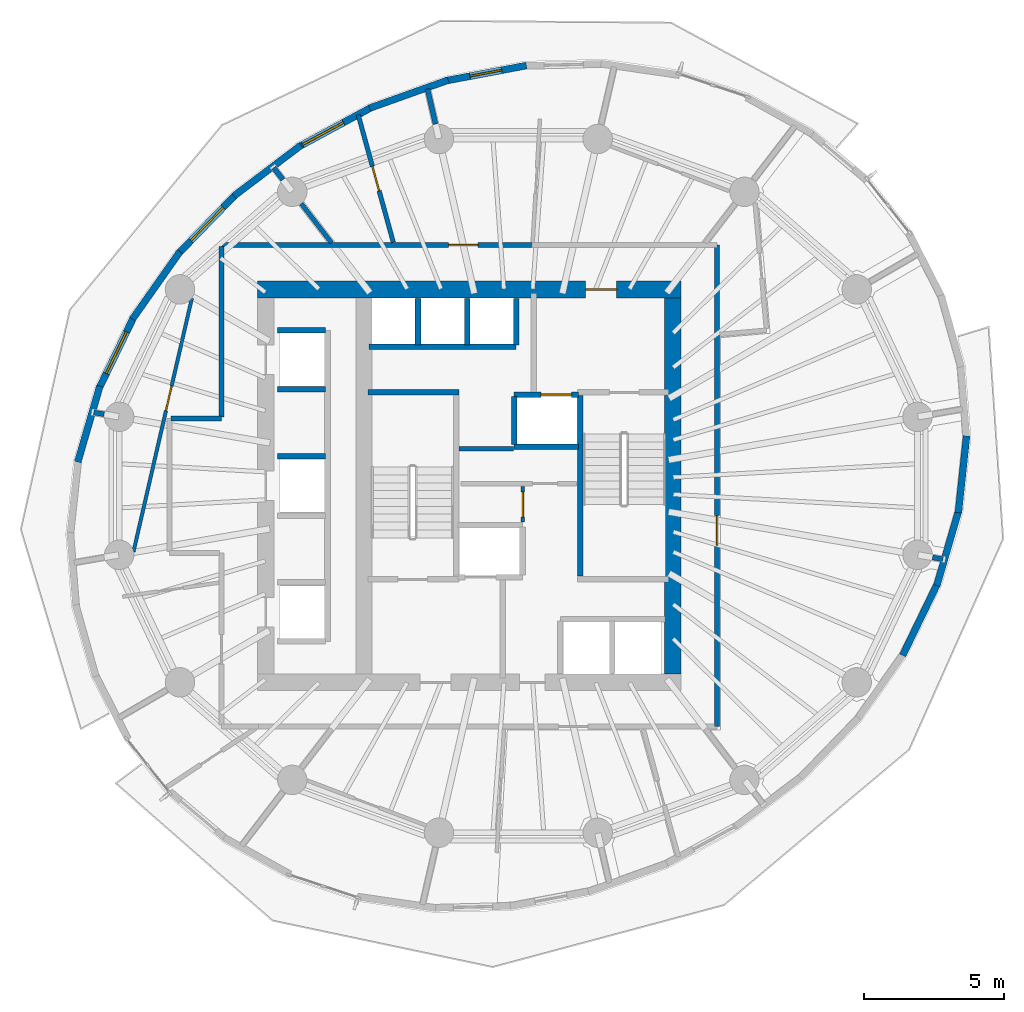
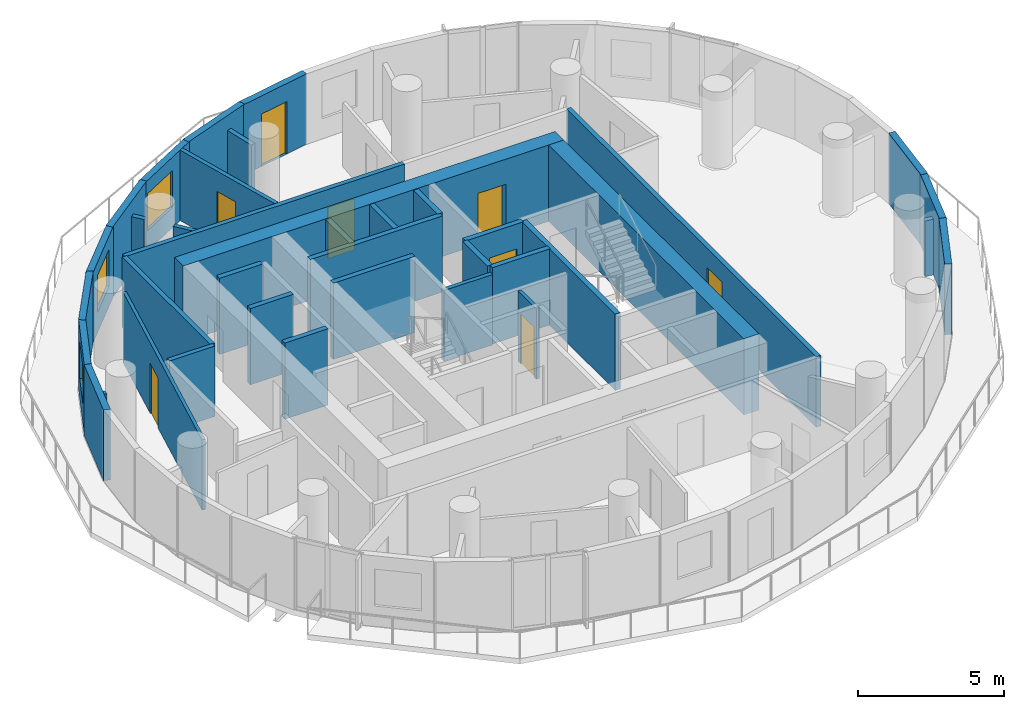
# One storey, part 6 of 12: 38 walls, 8 doors, 3 windows, 11 openings.
"""IFC4 building model written with IfcOpenShell, lengths in metres."""

from ifc_helpers import new_model, si_unit, direction, frame, frame_2d, origin, place, context, subcontext, project, spatial, rectangle, extrude, material, layer, layer_set, type_object, element, fill, save


model = new_model("IFC4")

# Units and contexts
model_context = context("Model", 3, precision=1e-05, world=origin(), true_north=direction((0.0, 1.0)))
body_context = subcontext(model_context, "Body", "Model", "MODEL_VIEW")
ifc_project = project(units=[si_unit("LENGTHUNIT", "METRE"), si_unit("AREAUNIT", "SQUARE_METRE"), si_unit("VOLUMEUNIT", "CUBIC_METRE"), si_unit("PLANEANGLEUNIT", "RADIAN"), si_unit("MASSUNIT", "GRAM", prefix="KILO")], contexts=[model_context])

# Site, building, storey
site_placement = place(None, origin())
site = spatial("IfcSite", under=ifc_project, at=site_placement, CompositionType="ELEMENT")
building_placement = place(site_placement, origin())
building = spatial("IfcBuilding", under=site, at=building_placement, Name="Veldorim Arch Residences", CompositionType="ELEMENT")
storey_placement = place(building_placement, frame((0.0, 0.0, 136.159912109375)))
storey = spatial("IfcBuildingStorey", under=building, at=storey_placement, Name="L40", CompositionType="ELEMENT", Elevation=136.159912109375)

# Wall, opening, door
ifc_material_1 = material(Name="Acoustic Gypsum Board", Category="gypsum")
ifc_layer_1 = layer(ifc_material_1, 0.125, Name="Acoustic Stud Room Partition Wall 125")
ifc_layer_set_1 = layer_set([ifc_layer_1], Name="Acoustic Gypsum Board")
wall_type_1 = type_object("IfcWallType", Name="Acoustic Stud Room Partition Wall 125", PredefinedType="PARTITIONING", material=ifc_layer_set_1)
wall_1_placement = place(storey_placement, frame((32.159912109375, 22.719970703125, 0.0), z_axis=(0.0, 0.0, 1.0), x_axis=(0.0, 1.0, 0.0)))
wall_1 = element("IfcWall", 1, at=wall_1_placement, inside=storey, type_object=wall_type_1, Name="L40 interior wall WL-CA-L40-2", PredefinedType="PARTITIONING", context=body_context, shape_type="SweptSolid", body=[
    extrude(rectangle(XDim=1.25, YDim=0.125, at=frame_2d((0.625, 0.0))), origin(), (0.0, 0.0, 1.0), 2.955078125),
])
opening_1_placement = place(wall_1_placement, frame((0.169921875, 0.0, 0.0)))
opening_1 = element("IfcOpeningElement", 2, at=opening_1_placement, cuts=wall_1, Name="Opening DR-SVC", PredefinedType="OPENING", context=body_context, shape_type="SweptSolid", body=[
    extrude(rectangle(XDim=0.89990234375, YDim=2.10009765625, at=frame_2d((0.449951171875, 1.050048828125))), frame((0.0, 0.072509765625, 0.0), z_axis=(0.0, -1.0, 0.0), x_axis=(1.0, 0.0, 0.0)), (0.0, 0.0, 1.0), 0.14501953125),
])
ifc_material_2 = material(Name="Fire-Rated Steel", Category="steel")
door_type_1 = type_object("IfcDoorType", Name="Riser, Shelter & Plant Room Rated Steel Door 900x2100", OperationType="SINGLE_SWING_LEFT", PredefinedType="DOOR", material=ifc_material_2)
door_1_placement = place(opening_1_placement, origin())
door_1 = element("IfcDoor", 3, at=door_1_placement, inside=storey, type_object=door_type_1, Name="L40 interior door DR-L40-CA2", OperationType="SINGLE_SWING_RIGHT", OverallHeight=2.10009765625, OverallWidth=0.89990234375, PredefinedType="DOOR", context=body_context, shape_type="SweptSolid", body=[
    extrude(rectangle(XDim=0.89990234375, YDim=2.10009765625, at=frame_2d((0.449951171875, 1.050048828125))), frame((0.0, 0.02490234375, 0.0), z_axis=(0.0, -1.0, 0.0), x_axis=(1.0, 0.0, 0.0)), (0.0, 0.0, 1.0), 0.050048828125),
])
fill(opening_1, door_1)

wall_2_placement = place(storey_placement, frame((18.287353515625, 21.6533203125, 0.0), z_axis=(0.0, 0.0, 1.0), x_axis=(0.2244032695, 0.974496368714, 0.0)))
wall_2 = element("IfcWall", 4, at=wall_2_placement, inside=storey, type_object=wall_type_1, Name="L40 interior wall WL-RES-L40-025", PredefinedType="PARTITIONING", context=body_context, shape_type="SweptSolid", body=[
    extrude(rectangle(XDim=9.262939453125, YDim=0.125, at=frame_2d((4.63134765625, 0.0))), origin(), (0.0, 0.0, 1.0), 2.955078125),
])
opening_2_placement = place(wall_2_placement, frame((5.161376953125, 0.0, 0.0)))
opening_2 = element("IfcOpeningElement", 5, at=opening_2_placement, cuts=wall_2, Name="Opening DR-INT", PredefinedType="OPENING", context=body_context, shape_type="SweptSolid", body=[
    extrude(rectangle(XDim=0.89990234375, YDim=2.10009765625, at=frame_2d((0.449951171875, 1.050048828125))), frame((0.0, 0.072509765625, 0.0), z_axis=(0.0, -1.0, 0.0), x_axis=(1.0, 0.0, 0.0)), (0.0, 0.0, 1.0), 0.14501953125),
])
ifc_material_3 = material(Name="Engineered Timber", Category="wood")
door_type_2 = type_object("IfcDoorType", Name="Apartment Internal Room Timber Door 900x2100", OperationType="SINGLE_SWING_LEFT", PredefinedType="DOOR", material=ifc_material_3)
door_2_placement = place(opening_2_placement, origin())
door_2 = element("IfcDoor", 6, at=door_2_placement, inside=storey, type_object=door_type_2, Name="L40 interior door DR-RES-L40-014", OperationType="SINGLE_SWING_RIGHT", OverallHeight=2.10009765625, OverallWidth=0.89990234375, PredefinedType="DOOR", context=body_context, shape_type="SweptSolid", body=[
    extrude(rectangle(XDim=0.89990234375, YDim=2.10009765625, at=frame_2d((0.449951171875, 1.050048828125))), frame((0.0, 0.02490234375, 0.0), z_axis=(0.0, -1.0, 0.0), x_axis=(1.0, 0.0, 0.0)), (0.0, 0.0, 1.0), 0.050048828125),
])
fill(opening_2, door_2)

# Walls
ifc_material_4 = material(Name="Lightweight Masonry Block & Gypsum", Category="masonry")
ifc_layer_2 = layer(ifc_material_4, 0.179931640625, Name="Compartment & Corridor Fire-Rated Party Wall 180")
ifc_layer_set_2 = layer_set([ifc_layer_2], Name="Lightweight Masonry Block & Gypsum")
wall_type_2 = type_object("IfcWallType", Name="Compartment & Corridor Fire-Rated Party Wall 180", PredefinedType="PARTITIONING", material=ifc_layer_set_2)
wall_3_placement = place(storey_placement, frame((29.049560546875, 36.88916015625, 0.0), z_axis=(0.0, 0.0, 1.0), x_axis=(-0.223093561241, 0.974797036789, 0.0)))
element("IfcWall", 7, at=wall_3_placement, inside=storey, type_object=wall_type_2, Name="L40 interior wall WL-PIER-L40-05", PredefinedType="PARTITIONING", context=body_context, shape_type="SweptSolid", body=[
    extrude(rectangle(XDim=1.282470703125, YDim=0.179931640625, at=frame_2d((0.64111328125, 0.0))), origin(), (0.0, 0.0, 1.0), 2.3359375),
])
wall_4_placement = place(storey_placement, frame((23.612060546875, 34.908447265625, 0.0), z_axis=(0.0, 0.0, 1.0), x_axis=(-0.609469486836, 0.792809526063, 0.0)))
element("IfcWall", 8, at=wall_4_placement, inside=storey, type_object=wall_type_2, Name="L40 interior wall WL-PIER-L40-06", PredefinedType="PARTITIONING", context=body_context, shape_type="SweptSolid", body=[
    extrude(rectangle(XDim=0.5380859375, YDim=0.179931640625, at=frame_2d((0.26904296875, 0.0))), origin(), (0.0, 0.0, 1.0), 2.3359375),
])
for number, where, z_axis, x_axis, name in (
    (9, (17.24169921875, 26.55078125, 0.0), (0.0, 0.0, 1.0), (-0.98535888436, 0.170493017491, 0.0), "L40 interior wall WL-PIER-L40-08"),
    (10, (46.75830078125, 21.44921875, 0.0), (0.0, 0.0, 1.0), (0.98535888436, -0.170493017491, 0.0), "L40 interior wall WL-PIER-L40-16"),
):
    element("IfcWall", number, at=place(storey_placement, frame(where, z_axis=z_axis, x_axis=x_axis)), inside=storey, type_object=wall_type_2, Name=name, PredefinedType="PARTITIONING", context=body_context, shape_type="SweptSolid", body=[
        extrude(rectangle(XDim=0.376708984375, YDim=0.179931640625, at=frame_2d((0.1884765625, 0.0))), origin(), (0.0, 0.0, 1.0), 2.3359375),
    ])

# Wall, opening, door
wall_5_placement = place(storey_placement, frame((39.080078125, 32.580078125, 0.0), z_axis=(0.0, 0.0, 1.0), x_axis=(0.0, -1.0, 0.0)))
wall_5 = element("IfcWall", 11, at=wall_5_placement, inside=storey, type_object=wall_type_2, Name="L40 interior wall WL-RES-L40-002", PredefinedType="PARTITIONING", context=body_context, shape_type="SweptSolid", body=[
    extrude(rectangle(XDim=17.16015625, YDim=0.179931640625, at=frame_2d((8.580078125, 0.0))), origin(), (0.0, 0.0, 1.0), 2.955078125),
])
opening_3_placement = place(wall_5_placement, frame((9.640380859375, 0.0, 0.0)))
opening_3 = element("IfcOpeningElement", 12, at=opening_3_placement, cuts=wall_5, Name="Opening DR-FLT", PredefinedType="OPENING", context=body_context, shape_type="SweptSolid", body=[
    extrude(rectangle(XDim=1.050048828125, YDim=2.14990234375, at=frame_2d((0.52490234375, 1.074951171875))), frame((0.0, 0.099853515625, 0.0), z_axis=(0.0, -1.0, 0.0), x_axis=(1.0, 0.0, 0.0)), (0.0, 0.0, 1.0), 0.199951171875),
])
ifc_material_5 = material(Name="Fire-Rated Timber", Category="wood")
door_type_3 = type_object("IfcDoorType", Name="Apartment Entrance Solid-Core Fire Door 1050x2150", OperationType="SINGLE_SWING_LEFT", PredefinedType="DOOR", material=ifc_material_5)
door_3_placement = place(opening_3_placement, origin())
door_3 = element("IfcDoor", 13, at=door_3_placement, inside=storey, type_object=door_type_3, Name="L40 interior door DR-RES-L40-005", OperationType="SINGLE_SWING_LEFT", OverallHeight=2.14990234375, OverallWidth=1.050048828125, PredefinedType="DOOR", context=body_context, shape_type="SweptSolid", body=[
    extrude(rectangle(XDim=1.050048828125, YDim=2.14990234375, at=frame_2d((0.52490234375, 1.074951171875))), frame((0.0, 0.02490234375, 0.0), z_axis=(0.0, -1.0, 0.0), x_axis=(1.0, 0.0, 0.0)), (0.0, 0.0, 1.0), 0.050048828125),
])
fill(opening_3, door_3)

wall_6_placement = place(storey_placement, frame((21.419921875, 32.580078125, 0.0), z_axis=(0.0, 0.0, 1.0), x_axis=(1.0, 0.0, 0.0)))
wall_6 = element("IfcWall", 14, at=wall_6_placement, inside=storey, type_object=wall_type_2, Name="L40 interior wall WL-RES-L40-004", PredefinedType="PARTITIONING", context=body_context, shape_type="SweptSolid", body=[
    extrude(rectangle(XDim=11.104736328125, YDim=0.179931640625, at=frame_2d((5.55224609375, 0.0))), origin(), (0.0, 0.0, 1.0), 2.955078125),
])
opening_4_placement = place(wall_6_placement, frame((8.0927734375, 0.0, 0.0)))
opening_4 = element("IfcOpeningElement", 15, at=opening_4_placement, cuts=wall_6, Name="Opening DR-FLT", PredefinedType="OPENING", context=body_context, shape_type="SweptSolid", body=[
    extrude(rectangle(XDim=1.050048828125, YDim=2.14990234375, at=frame_2d((0.52490234375, 1.074951171875))), frame((0.0, 0.099853515625, 0.0), z_axis=(0.0, -1.0, 0.0), x_axis=(1.0, 0.0, 0.0)), (0.0, 0.0, 1.0), 0.199951171875),
])
door_4_placement = place(opening_4_placement, origin())
door_4 = element("IfcDoor", 16, at=door_4_placement, inside=storey, type_object=door_type_3, Name="L40 interior door DR-RES-L40-007", OperationType="SINGLE_SWING_LEFT", OverallHeight=2.14990234375, OverallWidth=1.050048828125, PredefinedType="DOOR", context=body_context, shape_type="SweptSolid", body=[
    extrude(rectangle(XDim=1.050048828125, YDim=2.14990234375, at=frame_2d((0.52490234375, 1.074951171875))), frame((0.0, 0.02490234375, 0.0), z_axis=(0.0, -1.0, 0.0), x_axis=(1.0, 0.0, 0.0)), (0.0, 0.0, 1.0), 0.050048828125),
])
fill(opening_4, door_4)

# Walls
wall_7_placement = place(storey_placement, frame((19.6298828125, 26.39990234375, 0.0), z_axis=(0.0, 0.0, 1.0), x_axis=(1.0, 0.0, 0.0)))
element("IfcWall", 17, at=wall_7_placement, inside=storey, type_object=wall_type_2, Name="L40 interior wall WL-RES-L40-009", PredefinedType="PARTITIONING", context=body_context, shape_type="SweptSolid", body=[
    extrude(rectangle(XDim=1.7900390625, YDim=0.179931640625, at=frame_2d((0.89501953125, 0.0))), origin(), (0.0, 0.0, 1.0), 2.955078125),
])
wall_8_placement = place(storey_placement, frame((21.419921875, 26.4599609375, 0.0), z_axis=(0.0, 0.0, 1.0), x_axis=(0.0, 1.0, 0.0)))
element("IfcWall", 18, at=wall_8_placement, inside=storey, type_object=wall_type_2, Name="L40 interior wall WL-RES-L40-010", PredefinedType="PARTITIONING", context=body_context, shape_type="SweptSolid", body=[
    extrude(rectangle(XDim=6.06005859375, YDim=0.179931640625, at=frame_2d((3.030029296875, 0.0))), origin(), (0.0, 0.0, 1.0), 2.955078125),
])
ifc_material_6 = material(Name="Concrete C50/60", Category="concrete")
ifc_layer_3 = layer(ifc_material_6, 0.199951171875, Name="Core Stair & Lift Shaft Enclosure Wall 200")
ifc_layer_set_3 = layer_set([ifc_layer_3], Name="Concrete C50/60")
wall_type_3 = type_object("IfcWallType", Name="Core Stair & Lift Shaft Enclosure Wall 200", PredefinedType="SHEAR", material=ifc_layer_set_3)
wall_9_placement = place(storey_placement, frame((26.64990234375, 27.330078125, 0.0), z_axis=(0.0, 0.0, 1.0), x_axis=(1.0, 0.0, 0.0)))
element("IfcWall", 19, at=wall_9_placement, inside=storey, type_object=wall_type_3, Name="L40 shaft wall WL-SHF-L40-ST1-N", PredefinedType="SHEAR", context=body_context, shape_type="SweptSolid", body=[
    extrude(rectangle(XDim=3.239990234375, YDim=0.199951171875, at=frame_2d((1.6201171875, 0.0))), origin(), (0.0, 0.0, 1.0), 3.2001953125),
])
wall_10_placement = place(storey_placement, frame((34.2099609375, 20.780029296875, 0.0), z_axis=(0.0, 0.0, 1.0), x_axis=(0.0, 1.0, 0.0)))
element("IfcWall", 20, at=wall_10_placement, inside=storey, type_object=wall_type_3, Name="L40 shaft wall WL-SHF-L40-ST2-W", PredefinedType="SHEAR", context=body_context, shape_type="SweptSolid", body=[
    extrude(rectangle(XDim=6.43994140625, YDim=0.199951171875, at=frame_2d((3.219970703125, 0.0))), origin(), (0.0, 0.0, 1.0), 3.2001953125),
])

# Wall, opening, door
wall_11_placement = place(storey_placement, frame((31.85009765625, 27.25, 0.0), z_axis=(0.0, 0.0, 1.0), x_axis=(1.0, 0.0, 0.0)))
wall_11 = element("IfcWall", 21, at=wall_11_placement, inside=storey, type_object=wall_type_3, Name="L40 shaft wall WL-FL02-L40-N", PredefinedType="SHEAR", context=body_context, shape_type="SweptSolid", body=[
    extrude(rectangle(XDim=2.2998046875, YDim=0.199951171875, at=frame_2d((1.14990234375, 0.0))), origin(), (0.0, 0.0, 1.0), 3.2001953125),
])
opening_5_placement = place(wall_11_placement, frame((0.949951171875, 0.0, 0.0)))
opening_5 = element("IfcOpeningElement", 22, at=opening_5_placement, cuts=wall_11, Name="Opening LD-FF", PredefinedType="OPENING", context=body_context, shape_type="SweptSolid", body=[
    extrude(rectangle(XDim=1.10009765625, YDim=2.14990234375, at=frame_2d((0.550048828125, 1.074951171875))), frame((0.0, 0.10986328125, 0.0), z_axis=(0.0, -1.0, 0.0), x_axis=(1.0, 0.0, 0.0)), (0.0, 0.0, 1.0), 0.219970703125),
])
ifc_material_7 = material(Name="Stainless Steel", Category="steel")
door_type_4 = type_object("IfcDoorType", Name="Firefighting Lift Bi-Parting Sliding Landing Door 1100x2150", OperationType="DOUBLE_DOOR_SLIDING", PredefinedType="DOOR", material=ifc_material_7)
door_5_placement = place(opening_5_placement, origin())
door_5 = element("IfcDoor", 23, at=door_5_placement, inside=storey, type_object=door_type_4, Name="L40 lift landing door LD-L40-FL02", OperationType="DOUBLE_DOOR_SLIDING", OverallHeight=2.14990234375, OverallWidth=1.10009765625, PredefinedType="DOOR", context=body_context, shape_type="SweptSolid", body=[
    extrude(rectangle(XDim=1.10009765625, YDim=2.14990234375, at=frame_2d((0.550048828125, 1.074951171875))), frame((0.0, 0.02490234375, 0.0), z_axis=(0.0, -1.0, 0.0), x_axis=(1.0, 0.0, 0.0)), (0.0, 0.0, 1.0), 0.050048828125),
])
fill(opening_5, door_5)

# Walls
wall_12_placement = place(storey_placement, frame((31.85009765625, 25.39990234375, 0.0), z_axis=(0.0, 0.0, 1.0), x_axis=(1.0, 0.0, 0.0)))
element("IfcWall", 24, at=wall_12_placement, inside=storey, type_object=wall_type_3, Name="L40 shaft wall WL-FL02-L40-S", PredefinedType="SHEAR", context=body_context, shape_type="SweptSolid", body=[
    extrude(rectangle(XDim=2.2998046875, YDim=0.199951171875, at=frame_2d((1.14990234375, 0.0))), origin(), (0.0, 0.0, 1.0), 3.2001953125),
])
for number, where, z_axis, x_axis, name in (
    (25, (31.85009765625, 25.469970703125, 0.0), (0.0, 0.0, 1.0), (0.0, 1.0, 0.0), "L40 shaft wall WL-FL02-L40-W"),
    (26, (23.419921875, 29.5400390625, 0.0), (0.0, 0.0, 1.0), (1.0, 0.0, 0.0), "L40 shaft wall WL-B2-L40-N"),
    (27, (23.419921875, 25.06005859375, 0.0), (0.0, 0.0, 1.0), (1.0, 0.0, 0.0), "L40 shaft wall WL-B2-L40-D2A"),
    (28, (23.419921875, 27.43994140625, 0.0), (0.0, 0.0, 1.0), (1.0, 0.0, 0.0), "L40 shaft wall WL-B2-L40-D2B"),
):
    element("IfcWall", number, at=place(storey_placement, frame(where, z_axis=z_axis, x_axis=x_axis)), inside=storey, type_object=wall_type_3, Name=name, PredefinedType="SHEAR", context=body_context, shape_type="SweptSolid", body=[
        extrude(rectangle(XDim=1.7099609375, YDim=0.199951171875, at=frame_2d((0.85498046875, 0.0))), origin(), (0.0, 0.0, 1.0), 3.2001953125),
    ])
wall_13_placement = place(storey_placement, frame((26.679931640625, 28.949951171875, 0.0), z_axis=(0.0, 0.0, 1.0), x_axis=(1.0, 0.0, 0.0)))
element("IfcWall", 29, at=wall_13_placement, inside=storey, type_object=wall_type_3, Name="L40 shaft wall WL-B3-L40-S", PredefinedType="SHEAR", context=body_context, shape_type="SweptSolid", body=[
    extrude(rectangle(XDim=5.239990234375, YDim=0.199951171875, at=frame_2d((2.6201171875, 0.0))), origin(), (0.0, 0.0, 1.0), 3.2001953125),
])
for number, where, z_axis, x_axis, name in (
    (30, (31.919921875, 29.02001953125, 0.0), (0.0, 0.0, 1.0), (0.0, 1.0, 0.0), "L40 shaft wall WL-B3-L40-E"),
    (31, (28.425048828125, 29.02001953125, 0.0), (0.0, 0.0, 1.0), (0.0, 1.0, 0.0), "L40 shaft wall WL-B3-L40-D1"),
    (32, (30.175048828125, 29.02001953125, 0.0), (0.0, 0.0, 1.0), (0.0, 1.0, 0.0), "L40 shaft wall WL-B3-L40-D2"),
):
    element("IfcWall", number, at=place(storey_placement, frame(where, z_axis=z_axis, x_axis=x_axis)), inside=storey, type_object=wall_type_3, Name=name, PredefinedType="SHEAR", context=body_context, shape_type="SweptSolid", body=[
        extrude(rectangle(XDim=1.659912109375, YDim=0.199951171875, at=frame_2d((0.830078125, 0.0))), origin(), (0.0, 0.0, 1.0), 3.2001953125),
    ])

# Wall, opening, door
ifc_material_8 = material(Name="Concrete C50/60", Category="concrete")
ifc_layer_4 = layer(ifc_material_8, 0.60009765625, Name="Mid-Upper Central Core Shear Wall 600")
ifc_layer_set_4 = layer_set([ifc_layer_4], Name="Concrete C50/60")
wall_type_4 = type_object("IfcWallType", Name="Mid-Upper Central Core Shear Wall 600", PredefinedType="SHEAR", material=ifc_layer_set_4)
wall_14_placement = place(storey_placement, frame((22.699951171875, 31.0, 0.0), z_axis=(0.0, 0.0, 1.0), x_axis=(1.0, 0.0, 0.0)))
wall_14 = element("IfcWall", 33, at=wall_14_placement, inside=storey, type_object=wall_type_4, Name="L40 central core north shear wall", PredefinedType="SHEAR", context=body_context, shape_type="SweptSolid", body=[
    extrude(rectangle(XDim=15.10009765625, YDim=0.60009765625, at=frame_2d((7.550048828125, 0.0))), origin(), (0.0, 0.0, 1.0), 3.2001953125),
])
opening_6_placement = place(wall_14_placement, frame((11.699951171875, 0.0, 0.0)))
opening_6 = element("IfcOpeningElement", 34, at=opening_6_placement, cuts=wall_14, Name="Opening DR-FFL", PredefinedType="OPENING", context=body_context, shape_type="SweptSolid", body=[
    extrude(rectangle(XDim=1.10009765625, YDim=2.14990234375, at=frame_2d((0.550048828125, 1.074951171875))), frame((0.0, 0.31005859375, 0.0), z_axis=(0.0, -1.0, 0.0), x_axis=(1.0, 0.0, 0.0)), (0.0, 0.0, 1.0), 0.6201171875),
])
ifc_material_9 = material(Name="Fire-Rated Steel & Vision Glass", Category="steel")
door_type_5 = type_object("IfcDoorType", Name="Firefighting Lobby Smoke-Stop Fire Door 1100x2150", OperationType="SINGLE_SWING_LEFT", PredefinedType="DOOR", material=ifc_material_9)
door_6_placement = place(opening_6_placement, origin())
door_6 = element("IfcDoor", 35, at=door_6_placement, inside=storey, type_object=door_type_5, Name="L40 interior door DR-L40-FFL2", OperationType="SINGLE_SWING_LEFT", OverallHeight=2.14990234375, OverallWidth=1.10009765625, PredefinedType="DOOR", context=body_context, shape_type="SweptSolid", body=[
    extrude(rectangle(XDim=1.10009765625, YDim=2.14990234375, at=frame_2d((0.550048828125, 1.074951171875))), frame((0.0, 0.02490234375, 0.0), z_axis=(0.0, -1.0, 0.0), x_axis=(1.0, 0.0, 0.0)), (0.0, 0.0, 1.0), 0.050048828125),
])
fill(opening_6, door_6)

# Wall
wall_15_placement = place(storey_placement, frame((37.5, 17.300048828125, 0.0), z_axis=(0.0, 0.0, 1.0), x_axis=(0.0, 1.0, 0.0)))
element("IfcWall", 36, at=wall_15_placement, inside=storey, type_object=wall_type_4, Name="L40 central core east shear wall", PredefinedType="SHEAR", context=body_context, shape_type="SweptSolid", body=[
    extrude(rectangle(XDim=13.39990234375, YDim=0.60009765625, at=frame_2d((6.699951171875, 0.0))), origin(), (0.0, 0.0, 1.0), 3.2001953125),
])

# Wall, opening, door
ifc_material_10 = material(Name="Precast concrete C40/50", Category="concrete")
ifc_layer_5 = layer(ifc_material_10, 0.25, Name="Tower Terracotta Spandrel & Pier Wall 250")
ifc_layer_set_5 = layer_set([ifc_layer_5], Name="Precast concrete C40/50")
wall_type_5 = type_object("IfcWallType", Name="Tower Terracotta Spandrel & Pier Wall 250", PredefinedType="SOLIDWALL", material=ifc_layer_set_5)
wall_16_placement = place(storey_placement, frame((29.39892578125, 38.43359375, 0.0), z_axis=(0.0, 0.0, 1.0), x_axis=(0.982637070109, 0.185538105108, 0.0)))
wall_16 = element("IfcWall", 37, at=wall_16_placement, inside=storey, type_object=wall_type_5, Name="L40 terracotta facade wall 07", PredefinedType="SOLIDWALL", context=body_context, shape_type="SweptSolid", body=[
    extrude(rectangle(XDim=2.93701171875, YDim=0.25, at=frame_2d((1.468505859375, 0.0))), origin(), (0.0, 0.0, 1.0), 2.960205078125),
])
opening_7_placement = place(wall_16_placement, frame((0.89306640625, 0.0, 0.0)))
opening_7 = element("IfcOpeningElement", 38, at=opening_7_placement, cuts=wall_16, Name="Opening BL-DR", PredefinedType="OPENING", context=body_context, shape_type="SweptSolid", body=[
    extrude(rectangle(XDim=1.14990234375, YDim=2.199951171875, at=frame_2d((0.574951171875, 1.10009765625))), frame((0.0, 0.135009765625, 0.0), z_axis=(0.0, -1.0, 0.0), x_axis=(1.0, 0.0, 0.0)), (0.0, 0.0, 1.0), 0.27001953125),
])
ifc_material_11 = material(Name="Aluminium & Low-E Glass", Category="aluminium")
door_type_6 = type_object("IfcDoorType", Name="Glazed Planted Balcony Door 1150x2200", OperationType="SINGLE_SWING_LEFT", PredefinedType="DOOR", material=ifc_material_11)
door_7_placement = place(opening_7_placement, origin())
door_7 = element("IfcDoor", 39, at=door_7_placement, inside=storey, type_object=door_type_6, Name="L40 glazed outdoor terrace door BALC-1", OperationType="SINGLE_SWING_LEFT", OverallHeight=2.199951171875, OverallWidth=1.14990234375, PredefinedType="DOOR", context=body_context, shape_type="SweptSolid", body=[
    extrude(rectangle(XDim=1.14990234375, YDim=2.199951171875, at=frame_2d((0.574951171875, 1.10009765625))), frame((0.0, 0.02490234375, 0.0), z_axis=(0.0, -1.0, 0.0), x_axis=(1.0, 0.0, 0.0)), (0.0, 0.0, 1.0), 0.050048828125),
])
fill(opening_7, door_7)

# Wall
wall_17_placement = place(storey_placement, frame((26.70068359375, 37.461181640625, 0.0), z_axis=(0.0, 0.0, 1.0), x_axis=(0.94175304307, 0.33630522724, 0.0)))
element("IfcWall", 40, at=wall_17_placement, inside=storey, type_object=wall_type_5, Name="L40 terracotta facade wall 08", PredefinedType="SOLIDWALL", context=body_context, shape_type="SweptSolid", body=[
    extrude(rectangle(XDim=2.97705078125, YDim=0.25, at=frame_2d((1.488525390625, 0.0))), origin(), (0.0, 0.0, 1.0), 2.960205078125),
])

# Wall, opening, window
wall_18_placement = place(storey_placement, frame((24.162841796875, 36.0791015625, 0.0), z_axis=(0.0, 0.0, 1.0), x_axis=(0.879567466611, 0.475774181393, 0.0)))
wall_18 = element("IfcWall", 41, at=wall_18_placement, inside=storey, type_object=wall_type_5, Name="L40 terracotta facade wall 09", PredefinedType="SOLIDWALL", context=body_context, shape_type="SweptSolid", body=[
    extrude(rectangle(XDim=2.998291015625, YDim=0.25, at=frame_2d((1.4990234375, 0.0))), origin(), (0.0, 0.0, 1.0), 2.960205078125),
])
opening_8_placement = place(wall_18_placement, frame((0.175048828125, 0.0, 0.85009765625)))
opening_8 = element("IfcOpeningElement", 42, at=opening_8_placement, cuts=wall_18, Name="Opening WN-03", PredefinedType="OPENING", context=body_context, shape_type="SweptSolid", body=[
    extrude(rectangle(XDim=1.64990234375, YDim=1.550048828125, at=frame_2d((0.824951171875, 0.77490234375))), frame((0.0, 0.135009765625, 0.0), z_axis=(0.0, -1.0, 0.0), x_axis=(1.0, 0.0, 0.0)), (0.0, 0.0, 1.0), 0.27001953125),
])
ifc_material_12 = material(Name="Laminated Low-E Glass", Category="glass")
window_type = type_object("IfcWindowType", Name="Residential Wide Window 1650x1550", PartitioningType="SINGLE_PANEL", PredefinedType="WINDOW", material=ifc_material_12)
window_1_placement = place(opening_8_placement, origin())
window_1 = element("IfcWindow", 43, at=window_1_placement, inside=storey, type_object=window_type, Name="L40 solar-control facade window 09", OverallHeight=1.550048828125, OverallWidth=1.64990234375, PartitioningType="SINGLE_PANEL", PredefinedType="WINDOW", context=body_context, shape_type="SweptSolid", body=[
    extrude(rectangle(XDim=1.64990234375, YDim=1.550048828125, at=frame_2d((0.824951171875, 0.77490234375))), frame((0.0, 0.030029296875, 0.0), z_axis=(0.0, -1.0, 0.0), x_axis=(1.0, 0.0, 0.0)), (0.0, 0.0, 1.0), 0.06005859375),
])
fill(opening_8, window_1)

# Wall
wall_19_placement = place(storey_placement, frame((21.863037109375, 34.3291015625, 0.0), z_axis=(0.0, 0.0, 1.0), x_axis=(0.797511213298, 0.603304122863, 0.0)))
element("IfcWall", 44, at=wall_19_placement, inside=storey, type_object=wall_type_5, Name="L40 terracotta facade wall 10", PredefinedType="SOLIDWALL", context=body_context, shape_type="SweptSolid", body=[
    extrude(rectangle(XDim=2.998291015625, YDim=0.25, at=frame_2d((1.4990234375, 0.0))), origin(), (0.0, 0.0, 1.0), 2.960205078125),
])

# Wall, opening, window
wall_20_placement = place(storey_placement, frame((19.871826171875, 32.26416015625, 0.0), z_axis=(0.0, 0.0, 1.0), x_axis=(0.696240605886, 0.717808483312, 0.0)))
wall_20 = element("IfcWall", 45, at=wall_20_placement, inside=storey, type_object=wall_type_5, Name="L40 terracotta facade wall 11", PredefinedType="SOLIDWALL", context=body_context, shape_type="SweptSolid", body=[
    extrude(rectangle(XDim=2.97705078125, YDim=0.25, at=frame_2d((1.488525390625, 0.0))), origin(), (0.0, 0.0, 1.0), 2.960205078125),
])
opening_9_placement = place(wall_20_placement, frame((0.6640625, 0.0, 0.85009765625)))
opening_9 = element("IfcOpeningElement", 46, at=opening_9_placement, cuts=wall_20, Name="Opening WN-03", PredefinedType="OPENING", context=body_context, shape_type="SweptSolid", body=[
    extrude(rectangle(XDim=1.64990234375, YDim=1.550048828125, at=frame_2d((0.824951171875, 0.77490234375))), frame((0.0, 0.135009765625, 0.0), z_axis=(0.0, -1.0, 0.0), x_axis=(1.0, 0.0, 0.0)), (0.0, 0.0, 1.0), 0.27001953125),
])
window_2_placement = place(opening_9_placement, origin())
window_2 = element("IfcWindow", 47, at=window_2_placement, inside=storey, type_object=window_type, Name="L40 solar-control facade window 11", OverallHeight=1.550048828125, OverallWidth=1.64990234375, PartitioningType="SINGLE_PANEL", PredefinedType="WINDOW", context=body_context, shape_type="SweptSolid", body=[
    extrude(rectangle(XDim=1.64990234375, YDim=1.550048828125, at=frame_2d((0.824951171875, 0.77490234375))), frame((0.0, 0.030029296875, 0.0), z_axis=(0.0, -1.0, 0.0), x_axis=(1.0, 0.0, 0.0)), (0.0, 0.0, 1.0), 0.06005859375),
])
fill(opening_9, window_2)

# Wall
wall_21_placement = place(storey_placement, frame((18.25, 29.947509765625, 0.0), z_axis=(0.0, 0.0, 1.0), x_axis=(0.576020449187, 0.817435283137, 0.0)))
element("IfcWall", 48, at=wall_21_placement, inside=storey, type_object=wall_type_5, Name="L40 terracotta facade wall 12", PredefinedType="SOLIDWALL", context=body_context, shape_type="SweptSolid", body=[
    extrude(rectangle(XDim=2.936767578125, YDim=0.25, at=frame_2d((1.46826171875, 0.0))), origin(), (0.0, 0.0, 1.0), 2.960205078125),
])

# Wall, opening, window
wall_22_placement = place(storey_placement, frame((17.046875, 27.449951171875, 0.0), z_axis=(0.0, 0.0, 1.0), x_axis=(0.436882419805, 0.899518621967, 0.0)))
wall_22 = element("IfcWall", 49, at=wall_22_placement, inside=storey, type_object=wall_type_5, Name="L40 terracotta facade wall 13", PredefinedType="SOLIDWALL", context=body_context, shape_type="SweptSolid", body=[
    extrude(rectangle(XDim=2.8818359375, YDim=0.25, at=frame_2d((1.44091796875, 0.0))), origin(), (0.0, 0.0, 1.0), 2.960205078125),
])
opening_10_placement = place(wall_22_placement, frame((0.615966796875, 0.0, 0.85009765625)))
opening_10 = element("IfcOpeningElement", 50, at=opening_10_placement, cuts=wall_22, Name="Opening WN-03", PredefinedType="OPENING", context=body_context, shape_type="SweptSolid", body=[
    extrude(rectangle(XDim=1.64990234375, YDim=1.550048828125, at=frame_2d((0.824951171875, 0.77490234375))), frame((0.0, 0.135009765625, 0.0), z_axis=(0.0, -1.0, 0.0), x_axis=(1.0, 0.0, 0.0)), (0.0, 0.0, 1.0), 0.27001953125),
])
window_3_placement = place(opening_10_placement, origin())
window_3 = element("IfcWindow", 51, at=window_3_placement, inside=storey, type_object=window_type, Name="L40 solar-control facade window 13", OverallHeight=1.550048828125, OverallWidth=1.64990234375, PartitioningType="SINGLE_PANEL", PredefinedType="WINDOW", context=body_context, shape_type="SweptSolid", body=[
    extrude(rectangle(XDim=1.64990234375, YDim=1.550048828125, at=frame_2d((0.824951171875, 0.77490234375))), frame((0.0, 0.030029296875, 0.0), z_axis=(0.0, -1.0, 0.0), x_axis=(1.0, 0.0, 0.0)), (0.0, 0.0, 1.0), 0.06005859375),
])
fill(opening_10, window_3)

# Walls
wall_23_placement = place(storey_placement, frame((16.298828125, 24.847900390625, 0.0), z_axis=(0.0, 0.0, 1.0), x_axis=(0.27958078407, 0.960122172007, 0.0)))
element("IfcWall", 52, at=wall_23_placement, inside=storey, type_object=wall_type_5, Name="L40 terracotta facade wall 14", PredefinedType="SOLIDWALL", context=body_context, shape_type="SweptSolid", body=[
    extrude(rectangle(XDim=2.81787109375, YDim=0.25, at=frame_2d((1.408935546875, 0.0))), origin(), (0.0, 0.0, 1.0), 2.960205078125),
])
wall_24_placement = place(storey_placement, frame((46.953125, 20.550048828125, 0.0), z_axis=(0.0, 0.0, 1.0), x_axis=(-0.436882419805, -0.899518621967, 0.0)))
element("IfcWall", 53, at=wall_24_placement, inside=storey, type_object=wall_type_5, Name="L40 terracotta facade wall 31", PredefinedType="SOLIDWALL", context=body_context, shape_type="SweptSolid", body=[
    extrude(rectangle(XDim=2.8818359375, YDim=0.25, at=frame_2d((1.44091796875, 0.0))), origin(), (0.0, 0.0, 1.0), 2.960205078125),
])
wall_25_placement = place(storey_placement, frame((47.701171875, 23.152099609375, 0.0), z_axis=(0.0, 0.0, 1.0), x_axis=(-0.27958078407, -0.960122172007, 0.0)))
element("IfcWall", 54, at=wall_25_placement, inside=storey, type_object=wall_type_5, Name="L40 terracotta facade wall 32", PredefinedType="SOLIDWALL", context=body_context, shape_type="SweptSolid", body=[
    extrude(rectangle(XDim=2.81787109375, YDim=0.25, at=frame_2d((1.408935546875, 0.0))), origin(), (0.0, 0.0, 1.0), 2.960205078125),
])
wall_26_placement = place(storey_placement, frame((47.97119140625, 25.77880859375, 0.0), z_axis=(0.0, 0.0, 1.0), x_axis=(-0.106010014212, -0.994365062181, 0.0)))
element("IfcWall", 55, at=wall_26_placement, inside=storey, type_object=wall_type_5, Name="L40 terracotta facade wall 33", PredefinedType="SOLIDWALL", context=body_context, shape_type="SweptSolid", body=[
    extrude(rectangle(XDim=2.752197265625, YDim=0.25, at=frame_2d((1.3759765625, 0.0))), origin(), (0.0, 0.0, 1.0), 2.960205078125),
])
ifc_material_13 = material(Name="Moisture-Resistant Gypsum & Stud", Category="gypsum")
ifc_layer_6 = layer(ifc_material_13, 0.159912109375, Name="Wet-Area Moisture-Resistant Plumbing Wall 160")
ifc_layer_set_6 = layer_set([ifc_layer_6], Name="Moisture-Resistant Gypsum & Stud")
wall_type_6 = type_object("IfcWallType", Name="Wet-Area Moisture-Resistant Plumbing Wall 160", PredefinedType="PLUMBINGWALL", material=ifc_layer_set_6)
wall_27_placement = place(storey_placement, frame((29.889892578125, 25.330078125, 0.0), z_axis=(0.0, 0.0, 1.0), x_axis=(1.0, 0.0, 0.0)))
element("IfcWall", 56, at=wall_27_placement, inside=storey, type_object=wall_type_6, Name="L40 interior wall WL-CA-L40-N", PredefinedType="PLUMBINGWALL", context=body_context, shape_type="SweptSolid", body=[
    extrude(rectangle(XDim=1.940185546875, YDim=0.159912109375, at=frame_2d((0.97021484375, 0.0))), origin(), (0.0, 0.0, 1.0), 2.955078125),
])

# Wall, opening, door
wall_28_placement = place(storey_placement, frame((27.545166015625, 32.676513671875, 0.0), z_axis=(0.0, 0.0, 1.0), x_axis=(-0.265393905211, 0.964140070258, 0.0)))
wall_28 = element("IfcWall", 57, at=wall_28_placement, inside=storey, type_object=wall_type_6, Name="L40 interior wall WL-RES-L40-019", PredefinedType="PLUMBINGWALL", context=body_context, shape_type="SweptSolid", body=[
    extrude(rectangle(XDim=4.708251953125, YDim=0.159912109375, at=frame_2d((2.35400390625, 0.0))), origin(), (0.0, 0.0, 1.0), 2.955078125),
])
opening_11_placement = place(wall_28_placement, frame((1.904052734375, 0.0, 0.0)))
opening_11 = element("IfcOpeningElement", 58, at=opening_11_placement, cuts=wall_28, Name="Opening DR-WC", PredefinedType="OPENING", context=body_context, shape_type="SweptSolid", body=[
    extrude(rectangle(XDim=0.89990234375, YDim=2.10009765625, at=frame_2d((0.449951171875, 1.050048828125))), frame((0.0, 0.08984375, 0.0), z_axis=(0.0, -1.0, 0.0), x_axis=(1.0, 0.0, 0.0)), (0.0, 0.0, 1.0), 0.179931640625),
])
ifc_material_14 = material(Name="Laminate Timber", Category="wood")
door_type_7 = type_object("IfcDoorType", Name="Bathroom & Accessible WC Moisture-Sealed Door 900x2100", OperationType="SINGLE_SWING_LEFT", PredefinedType="DOOR", material=ifc_material_14)
door_8_placement = place(opening_11_placement, origin())
door_8 = element("IfcDoor", 59, at=door_8_placement, inside=storey, type_object=door_type_7, Name="L40 interior door DR-RES-L40-008", OperationType="SINGLE_SWING_RIGHT", OverallHeight=2.10009765625, OverallWidth=0.89990234375, PredefinedType="DOOR", context=body_context, shape_type="SweptSolid", body=[
    extrude(rectangle(XDim=0.89990234375, YDim=2.10009765625, at=frame_2d((0.449951171875, 1.050048828125))), frame((0.0, 0.02490234375, 0.0), z_axis=(0.0, -1.0, 0.0), x_axis=(1.0, 0.0, 0.0)), (0.0, 0.0, 1.0), 0.050048828125),
])
fill(opening_11, door_8)

# Wall
wall_29_placement = place(storey_placement, frame((25.341552734375, 32.6591796875, 0.0), z_axis=(0.0, 0.0, 1.0), x_axis=(-0.609536601946, 0.792757927042, 0.0)))
element("IfcWall", 60, at=wall_29_placement, inside=storey, type_object=wall_type_6, Name="L40 interior wall WL-RES-L40-021", PredefinedType="PLUMBINGWALL", context=body_context, shape_type="SweptSolid", body=[
    extrude(rectangle(XDim=1.761474609375, YDim=0.159912109375, at=frame_2d((0.880859375, 0.0))), origin(), (0.0, 0.0, 1.0), 2.3359375),
])

save(model, "model.ifc")
